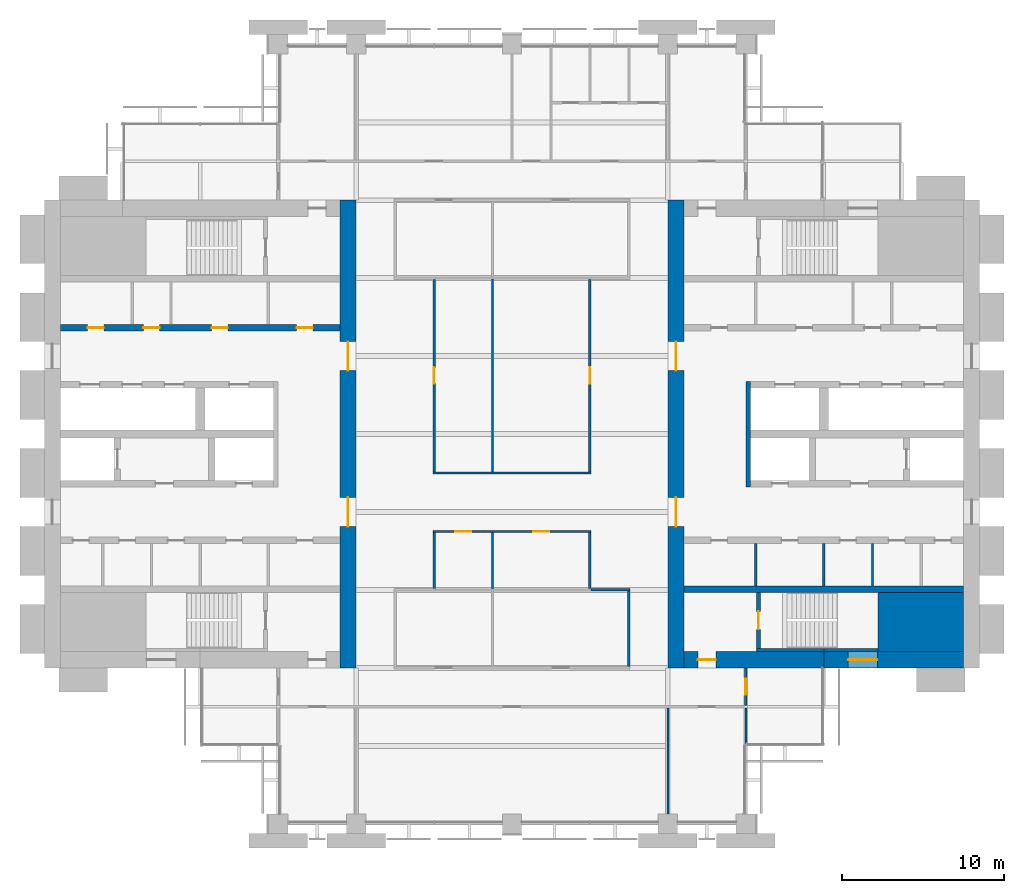
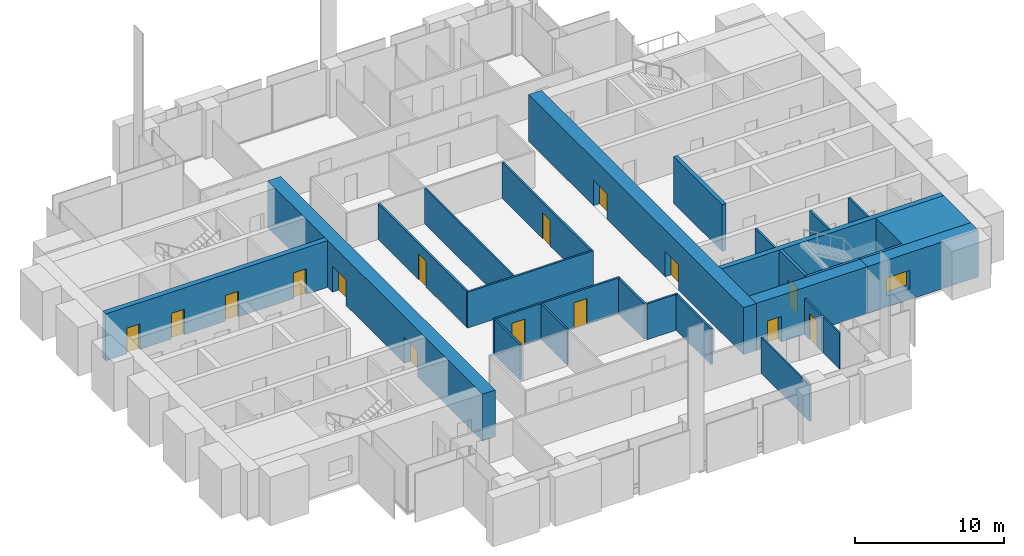
# One storey, part 10 of 14: 27 walls, 15 doors, 1 window, 16 openings.
"""IFC4 building model written with IfcOpenShell, lengths in metres."""

from ifc_helpers import new_model, si_unit, direction, frame, frame_2d, origin, place, context, subcontext, project, spatial, rectangle, extrude, material, layer, layer_set, type_object, element, fill, save


model = new_model("IFC4")

# Units and contexts
model_context = context("Model", 3, precision=1e-05, world=origin(), true_north=direction((0.0, 1.0)))
body_context = subcontext(model_context, "Body", "Model", "MODEL_VIEW")
ifc_project = project(units=[si_unit("LENGTHUNIT", "METRE"), si_unit("AREAUNIT", "SQUARE_METRE"), si_unit("VOLUMEUNIT", "CUBIC_METRE"), si_unit("PLANEANGLEUNIT", "RADIAN"), si_unit("MASSUNIT", "GRAM", prefix="KILO")], contexts=[model_context])

# Site, building, storey
site_placement = place(None, origin())
site = spatial("IfcSite", under=ifc_project, at=site_placement, CompositionType="ELEMENT")
building_placement = place(site_placement, origin())
building = spatial("IfcBuilding", under=site, at=building_placement, Name="Baori Bourse Tower", CompositionType="ELEMENT")
storey_placement = place(building_placement, frame((0.0, 0.0, 144.10009765625)))
storey = spatial("IfcBuildingStorey", under=building, at=storey_placement, Name="L31", CompositionType="ELEMENT", Elevation=144.10009765625)

# Walls
ifc_material_1 = material(Name="Concrete f'c 60 MPa", Category="concrete")
wall_type_1 = type_object("IfcWallType", Name="Core corner block f'c 60", PredefinedType="SHEAR", material=ifc_material_1)
wall_1_placement = place(storey_placement, frame((51.35009765625, 12.425048828125, 0.0), z_axis=(0.0, 0.0, 1.0), x_axis=(1.0, 0.0, 0.0)))
element("IfcWall", 1, at=wall_1_placement, inside=storey, type_object=wall_type_1, Name="Core wall E05", PredefinedType="SHEAR", context=body_context, shape_type="SweptSolid", body=[
    extrude(rectangle(XDim=5.25, YDim=3.64990234375, at=frame_2d((2.625, 0.0))), origin(), (0.0, 0.0, 1.0), 3.83984375),
])
ifc_material_2 = material(Name="Blockwork partition", Category="masonry")
ifc_layer_1 = layer(ifc_material_2, 0.14990234375)
ifc_layer_set_1 = layer_set([ifc_layer_1], Name="Core partition 150")
wall_type_2 = type_object("IfcWallType", Name="Core partition 150", PredefinedType="PARTITIONING", material=ifc_layer_set_1)
for number, where, z_axis, x_axis, name in (
    (2, (51.0, 14.64990234375, 0.0), (0.0, 0.0, 1.0), (0.0, 1.0, 0.0), "Partition wall E11"),
    (3, (48.0, 14.64990234375, 0.0), (0.0, 0.0, 1.0), (0.0, 1.0, 0.0), "Partition wall E12"),
    (4, (43.800048828125, 14.64990234375, 0.0), (0.0, 0.0, 1.0), (0.0, 1.0, 0.0), "Partition wall E13"),
):
    element("IfcWall", number, at=place(storey_placement, frame(where, z_axis=z_axis, x_axis=x_axis)), inside=storey, type_object=wall_type_2, Name=name, PredefinedType="PARTITIONING", context=body_context, shape_type="SweptSolid", body=[
        extrude(rectangle(XDim=2.60009765625, YDim=0.14990234375, at=frame_2d((1.300048828125, 0.0))), origin(), (0.0, 0.0, 1.0), 3.83984375),
    ])

# Wall, openings, doors
ifc_material_3 = material(Name="Concrete f'c 60 MPa", Category="concrete")
ifc_layer_2 = layer(ifc_material_3, 1.0)
ifc_layer_set_2 = layer_set([ifc_layer_2], Name="Core wall 1000 f'c 60")
wall_type_3 = type_object("IfcWallType", Name="Core wall 1000 f'c 60", PredefinedType="SHEAR", material=ifc_layer_set_2)
wall_2_placement = place(storey_placement, frame((18.699951171875, 38.39990234375, 0.0), z_axis=(0.0, 0.0, 1.0), x_axis=(0.0, -1.0, 0.0)))
wall_2 = element("IfcWall", 5, at=wall_2_placement, inside=storey, type_object=wall_type_3, Name="Core wall W04", PredefinedType="SHEAR", context=body_context, shape_type="SweptSolid", body=[
    extrude(rectangle(XDim=28.7998046875, YDim=1.0, at=frame_2d((14.39990234375, 0.0))), origin(), (0.0, 0.0, 1.0), 3.83984375),
])
opening_1_placement = place(wall_2_placement, frame((18.300048828125, 0.0, 0.0)))
opening_1 = element("IfcOpeningElement", 6, at=opening_1_placement, cuts=wall_2, Name="Opening L31-D107", PredefinedType="OPENING", context=body_context, shape_type="SweptSolid", body=[
    extrude(rectangle(XDim=1.800048828125, YDim=2.10009765625, at=frame_2d((0.89990234375, 1.050048828125))), frame((0.0, 0.510009765625, 0.0), z_axis=(0.0, -1.0, 0.0), x_axis=(1.0, 0.0, 0.0)), (0.0, 0.0, 1.0), 1.02001953125),
])
opening_2_placement = place(wall_2_placement, frame((8.699951171875, 0.0, 0.0)))
opening_2 = element("IfcOpeningElement", 7, at=opening_2_placement, cuts=wall_2, Name="Opening L31-D108", PredefinedType="OPENING", context=body_context, shape_type="SweptSolid", body=[
    extrude(rectangle(XDim=1.800048828125, YDim=2.10009765625, at=frame_2d((0.89990234375, 1.050048828125))), frame((0.0, 0.510009765625, 0.0), z_axis=(0.0, -1.0, 0.0), x_axis=(1.0, 0.0, 0.0)), (0.0, 0.0, 1.0), 1.02001953125),
])
ifc_material_4 = material(Name="Painted steel door", Category="steel")
door_type_1 = type_object("IfcDoorType", Name="Core lobby door 1800", OperationType="DOUBLE_DOOR_SINGLE_SWING", PredefinedType="DOOR", material=ifc_material_4)
door_1_placement = place(opening_1_placement, origin())
door_1 = element("IfcDoor", 8, at=door_1_placement, inside=storey, type_object=door_type_1, Name="Lobby door W L31", OperationType="DOUBLE_DOOR_SINGLE_SWING", OverallHeight=2.10009765625, OverallWidth=1.800048828125, PredefinedType="DOOR", context=body_context, shape_type="SweptSolid", body=[
    extrude(rectangle(XDim=1.800048828125, YDim=2.10009765625, at=frame_2d((0.89990234375, 1.050048828125))), frame((0.0, 0.02490234375, 0.0), z_axis=(0.0, -1.0, 0.0), x_axis=(1.0, 0.0, 0.0)), (0.0, 0.0, 1.0), 0.050048828125),
])
fill(opening_1, door_1)
door_2_placement = place(opening_2_placement, origin())
door_2 = element("IfcDoor", 9, at=door_2_placement, inside=storey, type_object=door_type_1, Name="Lobby door W L31", OperationType="DOUBLE_DOOR_SINGLE_SWING", OverallHeight=2.10009765625, OverallWidth=1.800048828125, PredefinedType="DOOR", context=body_context, shape_type="SweptSolid", body=[
    extrude(rectangle(XDim=1.800048828125, YDim=2.10009765625, at=frame_2d((0.89990234375, 1.050048828125))), frame((0.0, 0.02490234375, 0.0), z_axis=(0.0, -1.0, 0.0), x_axis=(1.0, 0.0, 0.0)), (0.0, 0.0, 1.0), 0.050048828125),
])
fill(opening_2, door_2)

# Wall, opening, window
wall_3_placement = place(storey_placement, frame((56.60009765625, 10.10009765625, 0.0), z_axis=(0.0, 0.0, 1.0), x_axis=(-1.0, 0.0, 0.0)))
wall_3 = element("IfcWall", 10, at=wall_3_placement, inside=storey, type_object=wall_type_3, Name="Core wall E02", PredefinedType="SHEAR", context=body_context, shape_type="SweptSolid", body=[
    extrude(rectangle(XDim=8.60009765625, YDim=1.0, at=frame_2d((4.300048828125, 0.0))), origin(), (0.0, 0.0, 1.0), 3.83984375),
])
opening_3_placement = place(wall_3_placement, frame((5.300048828125, 0.0, 0.89990234375)))
opening_3 = element("IfcOpeningElement", 11, at=opening_3_placement, cuts=wall_3, Name="Opening L31-KW203", PredefinedType="OPENING", context=body_context, shape_type="SweptSolid", body=[
    extrude(rectangle(XDim=1.800048828125, YDim=1.5, at=frame_2d((0.89990234375, 0.75))), frame((0.0, 0.510009765625, 0.0), z_axis=(0.0, -1.0, 0.0), x_axis=(1.0, 0.0, 0.0)), (0.0, 0.0, 1.0), 1.02001953125),
])
ifc_material_5 = material(Name="Pale anodised aluminium", Category="aluminium")
window_type = type_object("IfcWindowType", Name="Stair window 1800 x 1500", PartitioningType="SINGLE_PANEL", PredefinedType="WINDOW", material=ifc_material_5)
window_placement = place(opening_3_placement, origin())
window = element("IfcWindow", 12, at=window_placement, inside=storey, type_object=window_type, Name="Stair window E L31 3", OverallHeight=1.5, OverallWidth=1.800048828125, PartitioningType="SINGLE_PANEL", PredefinedType="WINDOW", context=body_context, shape_type="SweptSolid", body=[
    extrude(rectangle(XDim=1.800048828125, YDim=1.5, at=frame_2d((0.89990234375, 0.75))), frame((0.0, 0.030029296875, 0.0), z_axis=(0.0, -1.0, 0.0), x_axis=(1.0, 0.0, 0.0)), (0.0, 0.0, 1.0), 0.06005859375),
])
fill(opening_3, window)

# Wall, opening, door
wall_4_placement = place(storey_placement, frame((48.0, 10.10009765625, 0.0), z_axis=(0.0, 0.0, 1.0), x_axis=(-1.0, 0.0, 0.0)))
wall_4 = element("IfcWall", 13, at=wall_4_placement, inside=storey, type_object=wall_type_3, Name="Core wall E03", PredefinedType="SHEAR", context=body_context, shape_type="SweptSolid", body=[
    extrude(rectangle(XDim=8.60009765625, YDim=1.0, at=frame_2d((4.300048828125, 0.0))), origin(), (0.0, 0.0, 1.0), 3.83984375),
])
opening_4_placement = place(wall_4_placement, frame((6.64990234375, 0.0, 0.0)))
opening_4 = element("IfcOpeningElement", 14, at=opening_4_placement, cuts=wall_4, Name="Opening L31-D202", PredefinedType="OPENING", context=body_context, shape_type="SweptSolid", body=[
    extrude(rectangle(XDim=1.10009765625, YDim=2.10009765625, at=frame_2d((0.550048828125, 1.050048828125))), frame((0.0, 0.510009765625, 0.0), z_axis=(0.0, -1.0, 0.0), x_axis=(1.0, 0.0, 0.0)), (0.0, 0.0, 1.0), 1.02001953125),
])
ifc_material_6 = material(Name="Painted steel door", Category="steel")
door_type_2 = type_object("IfcDoorType", Name="Stair door 1100", OperationType="SINGLE_SWING_LEFT", PredefinedType="DOOR", material=ifc_material_6)
door_3_placement = place(opening_4_placement, origin())
door_3 = element("IfcDoor", 15, at=door_3_placement, inside=storey, type_object=door_type_2, Name="Stair vestibule door A E L31", OperationType="SINGLE_SWING_LEFT", OverallHeight=2.10009765625, OverallWidth=1.10009765625, PredefinedType="DOOR", context=body_context, shape_type="SweptSolid", body=[
    extrude(rectangle(XDim=1.10009765625, YDim=2.10009765625, at=frame_2d((0.550048828125, 1.050048828125))), frame((0.0, 0.02490234375, 0.0), z_axis=(0.0, -1.0, 0.0), x_axis=(1.0, 0.0, 0.0)), (0.0, 0.0, 1.0), 0.050048828125),
])
fill(opening_4, door_3)

# Wall, openings, doors
wall_5_placement = place(storey_placement, frame((38.89990234375, 9.60009765625, 0.0), z_axis=(0.0, 0.0, 1.0), x_axis=(0.0, 1.0, 0.0)))
wall_5 = element("IfcWall", 16, at=wall_5_placement, inside=storey, type_object=wall_type_3, Name="Core wall E04", PredefinedType="SHEAR", context=body_context, shape_type="SweptSolid", body=[
    extrude(rectangle(XDim=28.7998046875, YDim=1.0, at=frame_2d((14.39990234375, 0.0))), origin(), (0.0, 0.0, 1.0), 3.83984375),
])
opening_5_placement = place(wall_5_placement, frame((8.699951171875, 0.0, 0.0)))
opening_5 = element("IfcOpeningElement", 17, at=opening_5_placement, cuts=wall_5, Name="Opening L31-D207", PredefinedType="OPENING", context=body_context, shape_type="SweptSolid", body=[
    extrude(rectangle(XDim=1.800048828125, YDim=2.10009765625, at=frame_2d((0.89990234375, 1.050048828125))), frame((0.0, 0.510009765625, 0.0), z_axis=(0.0, -1.0, 0.0), x_axis=(1.0, 0.0, 0.0)), (0.0, 0.0, 1.0), 1.02001953125),
])
opening_6_placement = place(wall_5_placement, frame((18.300048828125, 0.0, 0.0)))
opening_6 = element("IfcOpeningElement", 18, at=opening_6_placement, cuts=wall_5, Name="Opening L31-D208", PredefinedType="OPENING", context=body_context, shape_type="SweptSolid", body=[
    extrude(rectangle(XDim=1.800048828125, YDim=2.10009765625, at=frame_2d((0.89990234375, 1.050048828125))), frame((0.0, 0.510009765625, 0.0), z_axis=(0.0, -1.0, 0.0), x_axis=(1.0, 0.0, 0.0)), (0.0, 0.0, 1.0), 1.02001953125),
])
door_4_placement = place(opening_5_placement, origin())
door_4 = element("IfcDoor", 19, at=door_4_placement, inside=storey, type_object=door_type_1, Name="Lobby door E L31", OperationType="DOUBLE_DOOR_SINGLE_SWING", OverallHeight=2.10009765625, OverallWidth=1.800048828125, PredefinedType="DOOR", context=body_context, shape_type="SweptSolid", body=[
    extrude(rectangle(XDim=1.800048828125, YDim=2.10009765625, at=frame_2d((0.89990234375, 1.050048828125))), frame((0.0, 0.02490234375, 0.0), z_axis=(0.0, -1.0, 0.0), x_axis=(1.0, 0.0, 0.0)), (0.0, 0.0, 1.0), 0.050048828125),
])
fill(opening_5, door_4)
door_5_placement = place(opening_6_placement, origin())
door_5 = element("IfcDoor", 20, at=door_5_placement, inside=storey, type_object=door_type_1, Name="Lobby door E L31", OperationType="DOUBLE_DOOR_SINGLE_SWING", OverallHeight=2.10009765625, OverallWidth=1.800048828125, PredefinedType="DOOR", context=body_context, shape_type="SweptSolid", body=[
    extrude(rectangle(XDim=1.800048828125, YDim=2.10009765625, at=frame_2d((0.89990234375, 1.050048828125))), frame((0.0, 0.02490234375, 0.0), z_axis=(0.0, -1.0, 0.0), x_axis=(1.0, 0.0, 0.0)), (0.0, 0.0, 1.0), 0.050048828125),
])
fill(opening_6, door_5)

# Wall
ifc_material_7 = material(Name="Gypsum board partition")
ifc_layer_3 = layer(ifc_material_7, 0.14990234375)
ifc_layer_set_3 = layer_set([ifc_layer_3], Name="Corridor partition 150")
wall_type_4 = type_object("IfcWallType", Name="Corridor partition 150", PredefinedType="PARTITIONING", material=ifc_layer_set_3)
wall_6_placement = place(storey_placement, frame((33.675048828125, 14.39990234375, 0.0), z_axis=(0.0, 0.0, 1.0), x_axis=(1.0, 0.0, 0.0)))
element("IfcWall", 21, at=wall_6_placement, inside=storey, type_object=wall_type_4, Name="Partition", PredefinedType="PARTITIONING", context=body_context, shape_type="SweptSolid", body=[
    extrude(rectangle(XDim=2.39990234375, YDim=0.14990234375, at=frame_2d((1.199951171875, 0.0))), origin(), (0.0, 0.0, 1.0), 2.935546875),
])

# Wall, openings, doors
wall_7_placement = place(storey_placement, frame((23.925048828125, 18.0, 0.0), z_axis=(0.0, 0.0, 1.0), x_axis=(1.0, 0.0, 0.0)))
wall_7 = element("IfcWall", 22, at=wall_7_placement, inside=storey, type_object=wall_type_4, Name="Partition", PredefinedType="PARTITIONING", context=body_context, shape_type="SweptSolid", body=[
    extrude(rectangle(XDim=9.75, YDim=0.14990234375, at=frame_2d((4.875, 0.0))), origin(), (0.0, 0.0, 1.0), 2.935546875),
])
opening_7_placement = place(wall_7_placement, frame((1.375, 0.0, 0.0)))
opening_7 = element("IfcOpeningElement", 23, at=opening_7_placement, cuts=wall_7, Name="Opening L31-D06", PredefinedType="OPENING", context=body_context, shape_type="SweptSolid", body=[
    extrude(rectangle(XDim=1.0, YDim=2.10009765625, at=frame_2d((0.5, 1.050048828125))), frame((0.0, 0.0849609375, 0.0), z_axis=(0.0, -1.0, 0.0), x_axis=(1.0, 0.0, 0.0)), (0.0, 0.0, 1.0), 0.169921875),
])
opening_8_placement = place(wall_7_placement, frame((6.175048828125, 0.0, 0.0)))
opening_8 = element("IfcOpeningElement", 24, at=opening_8_placement, cuts=wall_7, Name="Opening L31-D07", PredefinedType="OPENING", context=body_context, shape_type="SweptSolid", body=[
    extrude(rectangle(XDim=1.0, YDim=2.10009765625, at=frame_2d((0.5, 1.050048828125))), frame((0.0, 0.0849609375, 0.0), z_axis=(0.0, -1.0, 0.0), x_axis=(1.0, 0.0, 0.0)), (0.0, 0.0, 1.0), 0.169921875),
])
ifc_material_8 = material(Name="Timber door leaf", Category="wood")
door_type_3 = type_object("IfcDoorType", Name="Door 1000 x 2100", OperationType="SINGLE_SWING_LEFT", PredefinedType="DOOR", material=ifc_material_8)
door_6_placement = place(opening_7_placement, origin())
door_6 = element("IfcDoor", 25, at=door_6_placement, inside=storey, type_object=door_type_3, Name="Door", OperationType="SINGLE_SWING_LEFT", OverallHeight=2.10009765625, OverallWidth=1.0, PredefinedType="DOOR", context=body_context, shape_type="SweptSolid", body=[
    extrude(rectangle(XDim=1.0, YDim=2.10009765625, at=frame_2d((0.5, 1.050048828125))), frame((0.0, 0.02490234375, 0.0), z_axis=(0.0, -1.0, 0.0), x_axis=(1.0, 0.0, 0.0)), (0.0, 0.0, 1.0), 0.050048828125),
])
fill(opening_7, door_6)
door_7_placement = place(opening_8_placement, origin())
door_7 = element("IfcDoor", 26, at=door_7_placement, inside=storey, type_object=door_type_3, Name="Door", OperationType="SINGLE_SWING_RIGHT", OverallHeight=2.10009765625, OverallWidth=1.0, PredefinedType="DOOR", context=body_context, shape_type="SweptSolid", body=[
    extrude(rectangle(XDim=1.0, YDim=2.10009765625, at=frame_2d((0.5, 1.050048828125))), frame((0.0, 0.02490234375, 0.0), z_axis=(0.0, -1.0, 0.0), x_axis=(1.0, 0.0, 0.0)), (0.0, 0.0, 1.0), 0.050048828125),
])
fill(opening_8, door_7)

# Walls
wall_8_placement = place(storey_placement, frame((23.925048828125, 21.60009765625, 0.0), z_axis=(0.0, 0.0, 1.0), x_axis=(1.0, 0.0, 0.0)))
element("IfcWall", 27, at=wall_8_placement, inside=storey, type_object=wall_type_4, Name="Partition", PredefinedType="PARTITIONING", context=body_context, shape_type="SweptSolid", body=[
    extrude(rectangle(XDim=9.75, YDim=0.14990234375, at=frame_2d((4.875, 0.0))), origin(), (0.0, 0.0, 1.0), 2.935546875),
])
wall_9_placement = place(storey_placement, frame((24.0, 14.47509765625, 0.0), z_axis=(0.0, 0.0, 1.0), x_axis=(0.0, 1.0, 0.0)))
element("IfcWall", 28, at=wall_9_placement, inside=storey, type_object=wall_type_4, Name="Partition", PredefinedType="PARTITIONING", context=body_context, shape_type="SweptSolid", body=[
    extrude(rectangle(XDim=3.449951171875, YDim=0.14990234375, at=frame_2d((1.72509765625, 0.0))), origin(), (0.0, 0.0, 1.0), 2.935546875),
])

# Wall, opening, door
wall_10_placement = place(storey_placement, frame((24.0, 21.675048828125, 0.0), z_axis=(0.0, 0.0, 1.0), x_axis=(0.0, 1.0, 0.0)))
wall_10 = element("IfcWall", 29, at=wall_10_placement, inside=storey, type_object=wall_type_4, Name="Partition", PredefinedType="PARTITIONING", context=body_context, shape_type="SweptSolid", body=[
    extrude(rectangle(XDim=11.849853515625, YDim=0.14990234375, at=frame_2d((5.9248046875, 0.0))), origin(), (0.0, 0.0, 1.0), 2.935546875),
])
opening_9_placement = place(wall_10_placement, frame((5.425048828125, 0.0, 0.0)))
opening_9 = element("IfcOpeningElement", 30, at=opening_9_placement, cuts=wall_10, Name="Opening L31-D20", PredefinedType="OPENING", context=body_context, shape_type="SweptSolid", body=[
    extrude(rectangle(XDim=1.0, YDim=2.10009765625, at=frame_2d((0.5, 1.050048828125))), frame((0.0, 0.0849609375, 0.0), z_axis=(0.0, -1.0, 0.0), x_axis=(1.0, 0.0, 0.0)), (0.0, 0.0, 1.0), 0.169921875),
])
door_8_placement = place(opening_9_placement, origin())
door_8 = element("IfcDoor", 31, at=door_8_placement, inside=storey, type_object=door_type_3, Name="Door", OperationType="SINGLE_SWING_RIGHT", OverallHeight=2.10009765625, OverallWidth=1.0, PredefinedType="DOOR", context=body_context, shape_type="SweptSolid", body=[
    extrude(rectangle(XDim=1.0, YDim=2.10009765625, at=frame_2d((0.5, 1.050048828125))), frame((0.0, 0.02490234375, 0.0), z_axis=(0.0, -1.0, 0.0), x_axis=(1.0, 0.0, 0.0)), (0.0, 0.0, 1.0), 0.050048828125),
])
fill(opening_9, door_8)

# Wall
wall_11_placement = place(storey_placement, frame((33.60009765625, 14.47509765625, 0.0), z_axis=(0.0, 0.0, 1.0), x_axis=(0.0, 1.0, 0.0)))
element("IfcWall", 32, at=wall_11_placement, inside=storey, type_object=wall_type_4, Name="Partition", PredefinedType="PARTITIONING", context=body_context, shape_type="SweptSolid", body=[
    extrude(rectangle(XDim=3.449951171875, YDim=0.14990234375, at=frame_2d((1.72509765625, 0.0))), origin(), (0.0, 0.0, 1.0), 2.935546875),
])

# Wall, opening, door
wall_12_placement = place(storey_placement, frame((33.60009765625, 21.675048828125, 0.0), z_axis=(0.0, 0.0, 1.0), x_axis=(0.0, 1.0, 0.0)))
wall_12 = element("IfcWall", 33, at=wall_12_placement, inside=storey, type_object=wall_type_4, Name="Partition", PredefinedType="PARTITIONING", context=body_context, shape_type="SweptSolid", body=[
    extrude(rectangle(XDim=11.849853515625, YDim=0.14990234375, at=frame_2d((5.9248046875, 0.0))), origin(), (0.0, 0.0, 1.0), 2.935546875),
])
opening_10_placement = place(wall_12_placement, frame((5.425048828125, 0.0, 0.0)))
opening_10 = element("IfcOpeningElement", 34, at=opening_10_placement, cuts=wall_12, Name="Opening L31-D21", PredefinedType="OPENING", context=body_context, shape_type="SweptSolid", body=[
    extrude(rectangle(XDim=1.0, YDim=2.10009765625, at=frame_2d((0.5, 1.050048828125))), frame((0.0, 0.0849609375, 0.0), z_axis=(0.0, -1.0, 0.0), x_axis=(1.0, 0.0, 0.0)), (0.0, 0.0, 1.0), 0.169921875),
])
door_9_placement = place(opening_10_placement, origin())
door_9 = element("IfcDoor", 35, at=door_9_placement, inside=storey, type_object=door_type_3, Name="Door", OperationType="SINGLE_SWING_LEFT", OverallHeight=2.10009765625, OverallWidth=1.0, PredefinedType="DOOR", context=body_context, shape_type="SweptSolid", body=[
    extrude(rectangle(XDim=1.0, YDim=2.10009765625, at=frame_2d((0.5, 1.050048828125))), frame((0.0, 0.02490234375, 0.0), z_axis=(0.0, -1.0, 0.0), x_axis=(1.0, 0.0, 0.0)), (0.0, 0.0, 1.0), 0.050048828125),
])
fill(opening_10, door_9)

# Wall
wall_13_placement = place(storey_placement, frame((36.0, 9.675048828125, 0.0), z_axis=(0.0, 0.0, 1.0), x_axis=(0.0, 1.0, 0.0)))
element("IfcWall", 36, at=wall_13_placement, inside=storey, type_object=wall_type_4, Name="Partition", PredefinedType="PARTITIONING", context=body_context, shape_type="SweptSolid", body=[
    extrude(rectangle(XDim=4.64990234375, YDim=0.14990234375, at=frame_2d((2.324951171875, 0.0))), origin(), (0.0, 0.0, 1.0), 2.935546875),
])

# Wall, opening, door
wall_14_placement = place(storey_placement, frame((43.199951171875, 7.27490234375, 0.0), z_axis=(0.0, 0.0, 1.0), x_axis=(0.0, 1.0, 0.0)))
wall_14 = element("IfcWall", 37, at=wall_14_placement, inside=storey, type_object=wall_type_4, Name="Partition", PredefinedType="PARTITIONING", context=body_context, shape_type="SweptSolid", body=[
    extrude(rectangle(XDim=2.3251953125, YDim=0.14990234375, at=frame_2d((1.16259765625, 0.0))), origin(), (0.0, 0.0, 1.0), 2.935546875),
])
opening_11_placement = place(wall_14_placement, frame((0.66259765625, 0.0, 0.0)))
opening_11 = element("IfcOpeningElement", 38, at=opening_11_placement, cuts=wall_14, Name="Opening L31-D22", PredefinedType="OPENING", context=body_context, shape_type="SweptSolid", body=[
    extrude(rectangle(XDim=1.0, YDim=2.10009765625, at=frame_2d((0.5, 1.050048828125))), frame((0.0, 0.0849609375, 0.0), z_axis=(0.0, -1.0, 0.0), x_axis=(1.0, 0.0, 0.0)), (0.0, 0.0, 1.0), 0.169921875),
])
door_10_placement = place(opening_11_placement, origin())
door_10 = element("IfcDoor", 39, at=door_10_placement, inside=storey, type_object=door_type_3, Name="Door", OperationType="SINGLE_SWING_LEFT", OverallHeight=2.10009765625, OverallWidth=1.0, PredefinedType="DOOR", context=body_context, shape_type="SweptSolid", body=[
    extrude(rectangle(XDim=1.0, YDim=2.10009765625, at=frame_2d((0.5, 1.050048828125))), frame((0.0, 0.02490234375, 0.0), z_axis=(0.0, -1.0, 0.0), x_axis=(1.0, 0.0, 0.0)), (0.0, 0.0, 1.0), 0.050048828125),
])
fill(opening_11, door_10)

# Walls
ifc_material_9 = material(Name="Gypsum board partition")
ifc_layer_4 = layer(ifc_material_9, 0.125)
ifc_layer_set_4 = layer_set([ifc_layer_4], Name="Partition 125")
wall_type_5 = type_object("IfcWallType", Name="Partition 125", PredefinedType="PARTITIONING", material=ifc_layer_set_4)
wall_15_placement = place(storey_placement, frame((27.60009765625, 14.46240234375, 0.0), z_axis=(0.0, 0.0, 1.0), x_axis=(0.0, 1.0, 0.0)))
element("IfcWall", 40, at=wall_15_placement, inside=storey, type_object=wall_type_5, Name="Partition", PredefinedType="PARTITIONING", context=body_context, shape_type="SweptSolid", body=[
    extrude(rectangle(XDim=3.462646484375, YDim=0.125, at=frame_2d((1.7314453125, 0.0))), origin(), (0.0, 0.0, 1.0), 2.935546875),
])
wall_16_placement = place(storey_placement, frame((27.60009765625, 21.675048828125, 0.0), z_axis=(0.0, 0.0, 1.0), x_axis=(0.0, 1.0, 0.0)))
element("IfcWall", 41, at=wall_16_placement, inside=storey, type_object=wall_type_5, Name="Partition", PredefinedType="PARTITIONING", context=body_context, shape_type="SweptSolid", body=[
    extrude(rectangle(XDim=11.862548828125, YDim=0.125, at=frame_2d((5.93115234375, 0.0))), origin(), (0.0, 0.0, 1.0), 2.935546875),
])
wall_17_placement = place(storey_placement, frame((38.39990234375, 0.60009765625, 0.0), z_axis=(0.0, 0.0, 1.0), x_axis=(0.0, 1.0, 0.0)))
element("IfcWall", 42, at=wall_17_placement, inside=storey, type_object=wall_type_5, Name="Partition", PredefinedType="PARTITIONING", context=body_context, shape_type="SweptSolid", body=[
    extrude(rectangle(XDim=6.52490234375, YDim=0.125, at=frame_2d((3.262451171875, 0.0))), origin(), (0.0, 0.0, 1.0), 2.935546875),
])
wall_18_placement = place(storey_placement, frame((43.199951171875, 4.89990234375, 0.0), z_axis=(0.0, 0.0, 1.0), x_axis=(0.0, 1.0, 0.0)))
element("IfcWall", 43, at=wall_18_placement, inside=storey, type_object=wall_type_5, Name="Partition", PredefinedType="PARTITIONING", context=body_context, shape_type="SweptSolid", body=[
    extrude(rectangle(XDim=2.22509765625, YDim=0.125, at=frame_2d((1.112548828125, 0.0))), origin(), (0.0, 0.0, 1.0), 2.935546875),
])
ifc_material_10 = material(Name="Concrete f'c 60 MPa", Category="concrete")
ifc_layer_5 = layer(ifc_material_10, 0.199951171875)
ifc_layer_set_5 = layer_set([ifc_layer_5], Name="Shaft wall 200 f'c 60")
wall_type_6 = type_object("IfcWallType", Name="Shaft wall 200 f'c 60", PredefinedType="SHEAR", material=ifc_layer_set_5)
wall_19_placement = place(storey_placement, frame((48.0, 10.699951171875, 0.0), z_axis=(0.0, 0.0, 1.0), x_axis=(1.0, 0.0, 0.0)))
element("IfcWall", 44, at=wall_19_placement, inside=storey, type_object=wall_type_6, Name="Core wall E06", PredefinedType="SHEAR", context=body_context, shape_type="SweptSolid", body=[
    extrude(rectangle(XDim=3.35009765625, YDim=0.199951171875, at=frame_2d((1.675048828125, 0.0))), origin(), (0.0, 0.0, 1.0), 3.83984375),
])
wall_20_placement = place(storey_placement, frame((43.85009765625, 10.699951171875, 0.0), z_axis=(0.0, 0.0, 1.0), x_axis=(1.0, 0.0, 0.0)))
element("IfcWall", 45, at=wall_20_placement, inside=storey, type_object=wall_type_6, Name="Core wall E07", PredefinedType="SHEAR", context=body_context, shape_type="SweptSolid", body=[
    extrude(rectangle(XDim=4.14990234375, YDim=0.199951171875, at=frame_2d((2.074951171875, 0.0))), origin(), (0.0, 0.0, 1.0), 3.83984375),
])

# Wall, opening, door
ifc_material_11 = material(Name="Concrete f'c 60 MPa", Category="concrete")
ifc_layer_6 = layer(ifc_material_11, 0.25)
ifc_layer_set_6 = layer_set([ifc_layer_6], Name="Shaft wall 250 f'c 60")
wall_type_7 = type_object("IfcWallType", Name="Shaft wall 250 f'c 60", PredefinedType="SHEAR", material=ifc_layer_set_6)
wall_21_placement = place(storey_placement, frame((43.97509765625, 10.800048828125, 0.0), z_axis=(0.0, 0.0, 1.0), x_axis=(0.0, 1.0, 0.0)))
wall_21 = element("IfcWall", 46, at=wall_21_placement, inside=storey, type_object=wall_type_7, Name="Core wall E08", PredefinedType="SHEAR", context=body_context, shape_type="SweptSolid", body=[
    extrude(rectangle(XDim=3.449951171875, YDim=0.25, at=frame_2d((1.72509765625, 0.0))), origin(), (0.0, 0.0, 1.0), 3.83984375),
])
opening_12_placement = place(wall_21_placement, frame((1.175048828125, 0.0, 0.0)))
opening_12 = element("IfcOpeningElement", 47, at=opening_12_placement, cuts=wall_21, Name="Opening L31-D201", PredefinedType="OPENING", context=body_context, shape_type="SweptSolid", body=[
    extrude(rectangle(XDim=1.10009765625, YDim=2.10009765625, at=frame_2d((0.550048828125, 1.050048828125))), frame((0.0, 0.135009765625, 0.0), z_axis=(0.0, -1.0, 0.0), x_axis=(1.0, 0.0, 0.0)), (0.0, 0.0, 1.0), 0.27001953125),
])
door_11_placement = place(opening_12_placement, origin())
door_11 = element("IfcDoor", 48, at=door_11_placement, inside=storey, type_object=door_type_2, Name="Stair door A E L31", OperationType="SINGLE_SWING_LEFT", OverallHeight=2.10009765625, OverallWidth=1.10009765625, PredefinedType="DOOR", context=body_context, shape_type="SweptSolid", body=[
    extrude(rectangle(XDim=1.10009765625, YDim=2.10009765625, at=frame_2d((0.550048828125, 1.050048828125))), frame((0.0, 0.02490234375, 0.0), z_axis=(0.0, -1.0, 0.0), x_axis=(1.0, 0.0, 0.0)), (0.0, 0.0, 1.0), 0.050048828125),
])
fill(opening_12, door_11)

# Wall
ifc_material_12 = material(Name="Concrete f'c 60 MPa", Category="concrete")
ifc_layer_7 = layer(ifc_material_12, 0.300048828125)
ifc_layer_set_7 = layer_set([ifc_layer_7], Name="Shaft wall 300 f'c 60")
wall_type_8 = type_object("IfcWallType", Name="Shaft wall 300 f'c 60", PredefinedType="SHEAR", material=ifc_layer_set_7)
wall_22_placement = place(storey_placement, frame((43.35009765625, 20.75, 0.0), z_axis=(0.0, 0.0, 1.0), x_axis=(0.0, 1.0, 0.0)))
element("IfcWall", 49, at=wall_22_placement, inside=storey, type_object=wall_type_8, Name="Core wall E16", PredefinedType="SHEAR", context=body_context, shape_type="SweptSolid", body=[
    extrude(rectangle(XDim=6.5, YDim=0.300048828125, at=frame_2d((3.25, 0.0))), origin(), (0.0, 0.0, 1.0), 3.83984375),
])

# Wall, openings, doors
ifc_material_13 = material(Name="Concrete f'c 60 MPa", Category="concrete")
ifc_layer_8 = layer(ifc_material_13, 0.39990234375)
ifc_layer_set_8 = layer_set([ifc_layer_8], Name="Shaft wall 400 f'c 60")
wall_type_9 = type_object("IfcWallType", Name="Shaft wall 400 f'c 60", PredefinedType="SHEAR", material=ifc_layer_set_8)
wall_23_placement = place(storey_placement, frame((1.0, 30.550048828125, 0.0), z_axis=(0.0, 0.0, 1.0), x_axis=(1.0, 0.0, 0.0)))
wall_23 = element("IfcWall", 50, at=wall_23_placement, inside=storey, type_object=wall_type_9, Name="Core wall W22", PredefinedType="SHEAR", context=body_context, shape_type="SweptSolid", body=[
    extrude(rectangle(XDim=17.199951171875, YDim=0.39990234375, at=frame_2d((8.60009765625, 0.0))), origin(), (0.0, 0.0, 1.0), 3.83984375),
])
opening_13_placement = place(wall_23_placement, frame((1.66259765625, 0.0, 0.0)))
opening_13 = element("IfcOpeningElement", 51, at=opening_13_placement, cuts=wall_23, Name="Opening L31-D109", PredefinedType="OPENING", context=body_context, shape_type="SweptSolid", body=[
    extrude(rectangle(XDim=1.0, YDim=2.10009765625, at=frame_2d((0.5, 1.050048828125))), frame((0.0, 0.2099609375, 0.0), z_axis=(0.0, -1.0, 0.0), x_axis=(1.0, 0.0, 0.0)), (0.0, 0.0, 1.0), 0.419921875),
])
opening_14_placement = place(wall_23_placement, frame((5.10009765625, 0.0, 0.0)))
opening_14 = element("IfcOpeningElement", 52, at=opening_14_placement, cuts=wall_23, Name="Opening L31-D110", PredefinedType="OPENING", context=body_context, shape_type="SweptSolid", body=[
    extrude(rectangle(XDim=1.0, YDim=2.10009765625, at=frame_2d((0.5, 1.050048828125))), frame((0.0, 0.2099609375, 0.0), z_axis=(0.0, -1.0, 0.0), x_axis=(1.0, 0.0, 0.0)), (0.0, 0.0, 1.0), 0.419921875),
])
opening_15_placement = place(wall_23_placement, frame((9.300048828125, 0.0, 0.0)))
opening_15 = element("IfcOpeningElement", 53, at=opening_15_placement, cuts=wall_23, Name="Opening L31-D111", PredefinedType="OPENING", context=body_context, shape_type="SweptSolid", body=[
    extrude(rectangle(XDim=1.0, YDim=2.10009765625, at=frame_2d((0.5, 1.050048828125))), frame((0.0, 0.2099609375, 0.0), z_axis=(0.0, -1.0, 0.0), x_axis=(1.0, 0.0, 0.0)), (0.0, 0.0, 1.0), 0.419921875),
])
opening_16_placement = place(wall_23_placement, frame((14.53759765625, 0.0, 0.0)))
opening_16 = element("IfcOpeningElement", 54, at=opening_16_placement, cuts=wall_23, Name="Opening L31-D112", PredefinedType="OPENING", context=body_context, shape_type="SweptSolid", body=[
    extrude(rectangle(XDim=1.0, YDim=2.10009765625, at=frame_2d((0.5, 1.050048828125))), frame((0.0, 0.2099609375, 0.0), z_axis=(0.0, -1.0, 0.0), x_axis=(1.0, 0.0, 0.0)), (0.0, 0.0, 1.0), 0.419921875),
])
ifc_material_14 = material(Name="Painted steel door", Category="steel")
door_type_4 = type_object("IfcDoorType", Name="Core door 1000", OperationType="SINGLE_SWING_LEFT", PredefinedType="DOOR", material=ifc_material_14)
door_12_placement = place(opening_13_placement, origin())
door_12 = element("IfcDoor", 55, at=door_12_placement, inside=storey, type_object=door_type_4, Name="Women'S Wc door W L31", OperationType="SINGLE_SWING_LEFT", OverallHeight=2.10009765625, OverallWidth=1.0, PredefinedType="DOOR", context=body_context, shape_type="SweptSolid", body=[
    extrude(rectangle(XDim=1.0, YDim=2.10009765625, at=frame_2d((0.5, 1.050048828125))), frame((0.0, 0.02490234375, 0.0), z_axis=(0.0, -1.0, 0.0), x_axis=(1.0, 0.0, 0.0)), (0.0, 0.0, 1.0), 0.050048828125),
])
fill(opening_13, door_12)
door_13_placement = place(opening_15_placement, origin())
door_13 = element("IfcDoor", 56, at=door_13_placement, inside=storey, type_object=door_type_4, Name="Men'S Wc door W L31", OperationType="SINGLE_SWING_LEFT", OverallHeight=2.10009765625, OverallWidth=1.0, PredefinedType="DOOR", context=body_context, shape_type="SweptSolid", body=[
    extrude(rectangle(XDim=1.0, YDim=2.10009765625, at=frame_2d((0.5, 1.050048828125))), frame((0.0, 0.02490234375, 0.0), z_axis=(0.0, -1.0, 0.0), x_axis=(1.0, 0.0, 0.0)), (0.0, 0.0, 1.0), 0.050048828125),
])
fill(opening_15, door_13)
door_14_placement = place(opening_16_placement, origin())
door_14 = element("IfcDoor", 57, at=door_14_placement, inside=storey, type_object=door_type_4, Name="Accessible Wc door W L31", OperationType="SINGLE_SWING_LEFT", OverallHeight=2.10009765625, OverallWidth=1.0, PredefinedType="DOOR", context=body_context, shape_type="SweptSolid", body=[
    extrude(rectangle(XDim=1.0, YDim=2.10009765625, at=frame_2d((0.5, 1.050048828125))), frame((0.0, 0.02490234375, 0.0), z_axis=(0.0, -1.0, 0.0), x_axis=(1.0, 0.0, 0.0)), (0.0, 0.0, 1.0), 0.050048828125),
])
fill(opening_16, door_14)
ifc_material_15 = material(Name="Painted steel door", Category="steel")
door_type_5 = type_object("IfcDoorType", Name="Plant room door 1000", OperationType="SINGLE_SWING_LEFT", PredefinedType="DOOR", material=ifc_material_15)
door_15_placement = place(opening_14_placement, origin())
door_15 = element("IfcDoor", 58, at=door_15_placement, inside=storey, type_object=door_type_5, Name="Electrical Room door W L31", OperationType="SINGLE_SWING_LEFT", OverallHeight=2.10009765625, OverallWidth=1.0, PredefinedType="DOOR", context=body_context, shape_type="SweptSolid", body=[
    extrude(rectangle(XDim=1.0, YDim=2.10009765625, at=frame_2d((0.5, 1.050048828125))), frame((0.0, 0.02490234375, 0.0), z_axis=(0.0, -1.0, 0.0), x_axis=(1.0, 0.0, 0.0)), (0.0, 0.0, 1.0), 0.050048828125),
])
fill(opening_14, door_15)

# Wall
wall_24_placement = place(storey_placement, frame((39.39990234375, 14.449951171875, 0.0), z_axis=(0.0, 0.0, 1.0), x_axis=(1.0, 0.0, 0.0)))
element("IfcWall", 59, at=wall_24_placement, inside=storey, type_object=wall_type_9, Name="Core wall E09", PredefinedType="SHEAR", context=body_context, shape_type="SweptSolid", body=[
    extrude(rectangle(XDim=17.2001953125, YDim=0.39990234375, at=frame_2d((8.60009765625, 0.0))), origin(), (0.0, 0.0, 1.0), 3.83984375),
])

save(model, "model.ifc")
